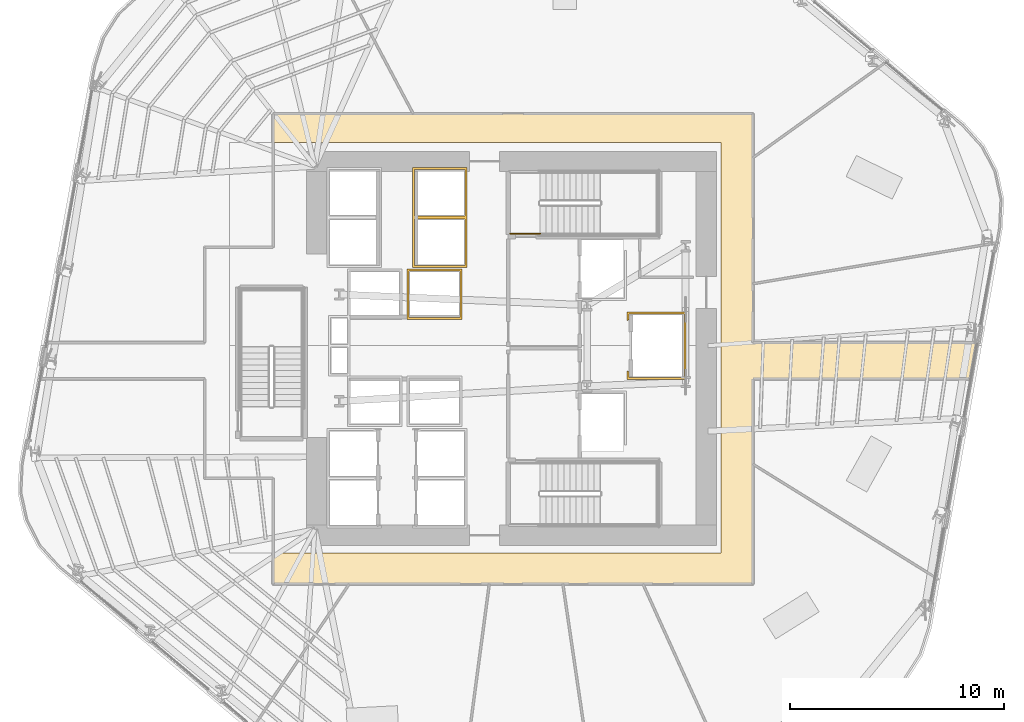
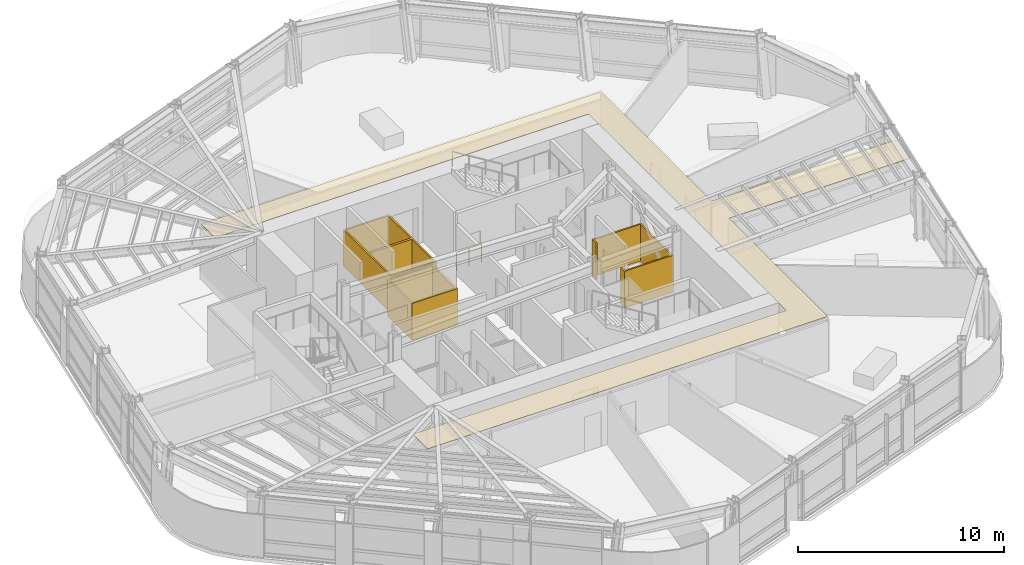
# One storey, part 15 of 18: 4 coverings, 1 railing.
"""IFC4 building model written with IfcOpenShell, lengths in metres."""

from ifc_helpers import new_model, si_unit, direction, frame, origin, origin_2d, place, context, subcontext, project, spatial, polyline, circle, outline, extrude, material, layer, layer_set, type_object, element, save


model = new_model("IFC4")

# Units and contexts
model_context = context("Model", 3, precision=1e-05, world=origin(), true_north=direction((0.0, 1.0)))
body_context = subcontext(model_context, "Body", "Model", "MODEL_VIEW")
ifc_project = project(units=[si_unit("LENGTHUNIT", "METRE"), si_unit("AREAUNIT", "SQUARE_METRE"), si_unit("VOLUMEUNIT", "CUBIC_METRE"), si_unit("PLANEANGLEUNIT", "RADIAN"), si_unit("MASSUNIT", "GRAM", prefix="KILO")], contexts=[model_context])

# Site, building, storey
site_placement = place(None, origin())
site = spatial("IfcSite", under=ifc_project, at=site_placement, CompositionType="ELEMENT")
building_placement = place(site_placement, origin())
building = spatial("IfcBuilding", under=site, at=building_placement, Name="Valkerne Bourse Tower", CompositionType="ELEMENT")
storey_placement = place(building_placement, frame((0.0, 0.0, 108.60009765625)))
storey = spatial("IfcBuildingStorey", under=building, at=storey_placement, Name="L27", CompositionType="ELEMENT", Elevation=108.60009765625)

# Coverings
ifc_material_1 = material(Name="Bronze Anodised Aluminium AA 6063-T6", Category="aluminium")
ifc_layer_1 = layer(ifc_material_1, 0.030029296875)
ifc_layer_set_1 = layer_set([ifc_layer_1], Name="Bronze Anodised Aluminium AA 6063-T6")
covering_type_1 = type_object("IfcCoveringType", Name="COV-CEIL-METAL", PredefinedType="CEILING", material=ifc_layer_set_1)
covering_1_placement = place(storey_placement, frame((0.0, 0.0, 3.22998046875)))
element("IfcCovering", 1, at=covering_1_placement, inside=storey, type_object=covering_type_1, Name="L27 Suspended Ceiling 01", PredefinedType="CEILING", context=body_context, shape_type="SweptSolid", body=[
    extrude(outline(polyline([(68.5478515625, 27.14599609375), (68.247314453125, 25.4541015625), (58.095947265625, 25.4541015625), (58.095947265625, 15.85400390625), (35.654052734375, 15.85400390625), (35.654052734375, 17.300048828125), (56.60009765625, 17.300048828125), (56.60009765625, 36.5), (35.654052734375, 36.5), (35.654052734375, 37.845947265625), (58.095947265625, 37.845947265625), (58.095947265625, 27.14599609375), (68.5478515625, 27.14599609375)])), origin(), (0.0, 0.0, 1.0), 0.02490234375),
])
ifc_material_2 = material(Name="Gypsum Shaftwall Liner Board", Category="gypsum")
ifc_layer_2 = layer(ifc_material_2, 0.080078125)
ifc_layer_set_2 = layer_set([ifc_layer_2], Name="Gypsum Shaftwall Liner Board")
covering_type_2 = type_object("IfcCoveringType", Name="COV-SHF-CLAD", PredefinedType="CLADDING", material=ifc_layer_set_2)
covering_2_placement = place(storey_placement, origin())
element("IfcCovering", 2, at=covering_2_placement, inside=storey, type_object=covering_type_2, Name="L27 Hoistway & Riser Shaftwall Liner 08", PredefinedType="CLADDING", context=body_context, shape_type="SweptSolid", body=[
    extrude(outline(polyline([(54.97998046875, 25.419921875), (52.219970703125, 25.419921875), (52.219970703125, 25.81787109375), (52.227783203125, 25.814208984375), (52.269287109375, 25.79931640625), (52.31005859375, 25.789306640625), (52.31005859375, 25.510009765625), (54.889892578125, 25.510009765625), (54.889892578125, 28.489990234375), (52.31005859375, 28.489990234375), (52.31005859375, 28.210693359375), (52.269287109375, 28.20068359375), (52.227783203125, 28.185791015625), (52.219970703125, 28.18212890625), (52.219970703125, 28.580078125), (54.97998046875, 28.580078125), (54.97998046875, 25.419921875)])), origin(), (0.0, 0.0, 1.0), 2.179931640625),
])
covering_3_placement = place(storey_placement, origin())
element("IfcCovering", 3, at=covering_3_placement, inside=storey, type_object=covering_type_2, Name="L27 Hoistway & Riser Shaftwall Liner 09", PredefinedType="CLADDING", context=body_context, shape_type="SweptSolid", body=[
    extrude(outline(polyline([(44.47998046875, 28.219970703125), (41.919921875, 28.219970703125), (41.919921875, 30.580078125), (44.47998046875, 30.580078125), (44.47998046875, 28.219970703125)]), holes=[polyline([(42.010009765625, 30.489990234375), (42.010009765625, 28.31005859375), (44.389892578125, 28.31005859375), (44.389892578125, 30.489990234375), (42.010009765625, 30.489990234375)])]), origin(), (0.0, 0.0, 1.0), 2.179931640625),
])
covering_4_placement = place(storey_placement, origin())
element("IfcCovering", 4, at=covering_4_placement, inside=storey, type_object=covering_type_2, Name="L27 Hoistway & Riser Shaftwall Liner 11", PredefinedType="CLADDING", context=body_context, shape_type="SweptSolid", body=[
    extrude(outline(polyline([(44.72998046875, 35.330078125), (44.72998046875, 33.030029296875), (44.72998046875, 32.969970703125), (44.72998046875, 30.669921875), (42.169921875, 30.669921875), (42.169921875, 32.969970703125), (42.169921875, 33.030029296875), (42.169921875, 35.330078125), (44.72998046875, 35.330078125)]), holes=[polyline([(42.260009765625, 30.760009765625), (44.639892578125, 30.760009765625), (44.639892578125, 32.93994140625), (42.260009765625, 32.93994140625), (42.260009765625, 30.760009765625)]), polyline([(42.260009765625, 33.06005859375), (44.639892578125, 33.06005859375), (44.639892578125, 35.239990234375), (42.260009765625, 35.239990234375), (42.260009765625, 33.06005859375)])]), origin(), (0.0, 0.0, 1.0), 2.179931640625),
])

# Railing
ifc_material_3 = material(Name="Galvanised Painted Steel", Category="steel")
railing_type = type_object("IfcRailingType", Name="RLG-ST-GUARD-1120", PredefinedType="GUARDRAIL", material=ifc_material_3)
railing_placement = place(storey_placement, frame((46.75, 32.25, 0.0)))
element("IfcRailing", 5, at=railing_placement, inside=storey, type_object=railing_type, Name="L27 ST-2 stair guard 8", PredefinedType="GUARDRAIL", context=body_context, shape_type="SweptSolid", body=[
    extrude(circle(Radius=0.02392578125, at=origin_2d()), frame((0.0, 0.0, 1.09619140625), z_axis=(1.0, 0.0, 0.0), x_axis=(0.0, 1.0, 0.0)), (0.0, 0.0, 1.0), 1.39990234375),
    extrude(circle(Radius=0.02099609375, at=origin_2d()), origin(), (0.0, 0.0, 1.0), 1.072021484375),
    extrude(circle(Radius=0.02099609375, at=origin_2d()), frame((0.699951171875, 0.0, 0.0)), (0.0, 0.0, 1.0), 1.072021484375),
    extrude(circle(Radius=0.02099609375, at=origin_2d()), frame((1.39990234375, 0.0, 0.0)), (0.0, 0.0, 1.0), 1.072021484375),
])

save(model, "model.ifc")
